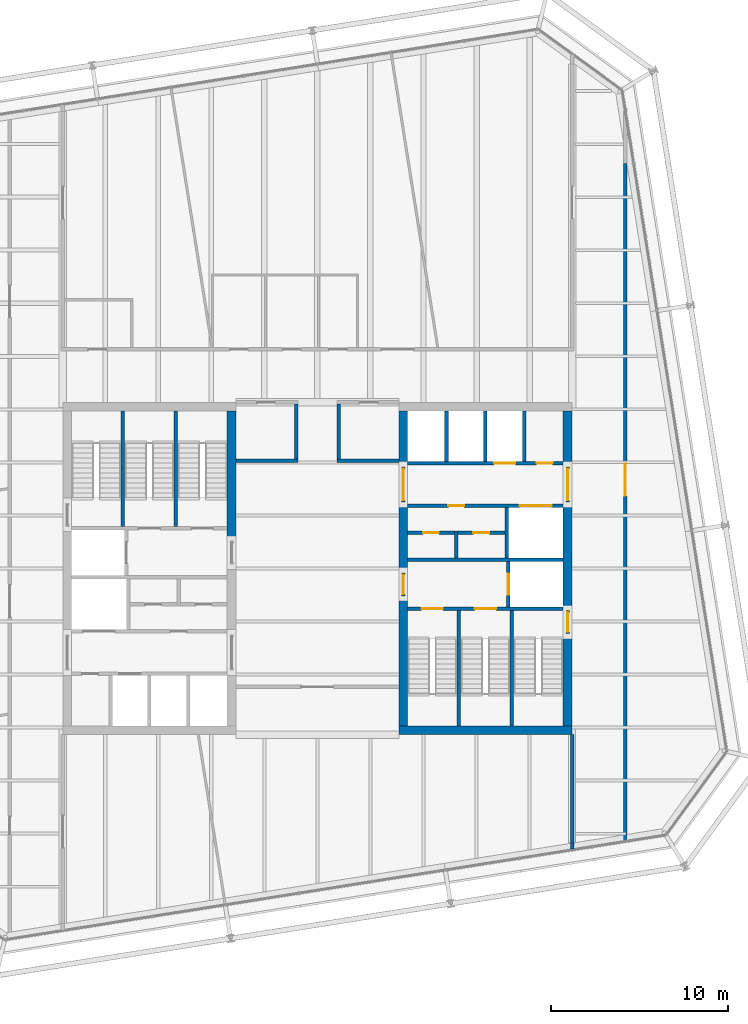
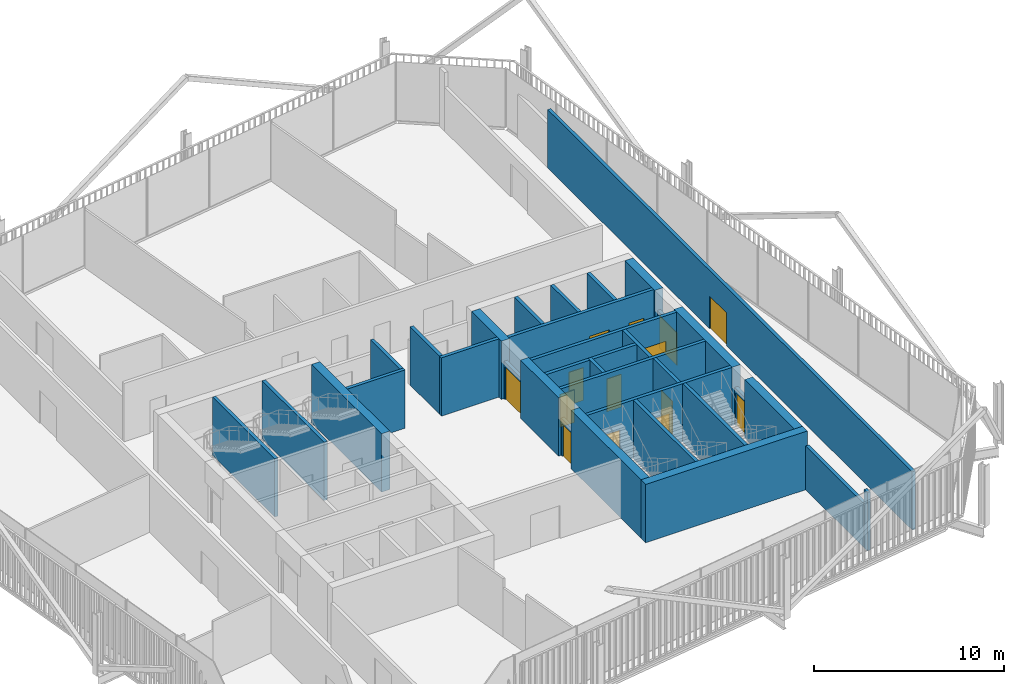
# One storey, part 18 of 21: 34 walls, 14 doors, 14 openings.
"""IFC4 building model written with IfcOpenShell, lengths in metres."""

from ifc_helpers import new_model, si_unit, direction, frame, frame_2d, origin, place, context, subcontext, project, spatial, rectangle, extrude, material, layer, layer_set, type_object, element, fill, save


model = new_model("IFC4")

# Units and contexts
model_context = context("Model", 3, precision=1e-05, world=origin(), true_north=direction((0.0, 1.0)))
body_context = subcontext(model_context, "Body", "Model", "MODEL_VIEW")
ifc_project = project(units=[si_unit("LENGTHUNIT", "METRE"), si_unit("AREAUNIT", "SQUARE_METRE"), si_unit("VOLUMEUNIT", "CUBIC_METRE"), si_unit("PLANEANGLEUNIT", "RADIAN"), si_unit("MASSUNIT", "GRAM", prefix="KILO")], contexts=[model_context])

# Site, building, storey
site_placement = place(None, origin())
site = spatial("IfcSite", under=ifc_project, at=site_placement, CompositionType="ELEMENT")
building_placement = place(site_placement, origin())
building = spatial("IfcBuilding", under=site, at=building_placement, Name="Millrace Tower", CompositionType="ELEMENT")
storey_placement = place(building_placement, frame((0.0, 0.0, 212.5)))
storey = spatial("IfcBuildingStorey", under=building, at=storey_placement, Name="L48", CompositionType="ELEMENT", Elevation=212.5)

# Walls
ifc_material_1 = material(Name="Concrete C60", Category="concrete")
ifc_layer_1 = layer(ifc_material_1, 0.5)
ifc_layer_set_1 = layer_set([ifc_layer_1], Name="Concrete C60")
wall_type_1 = type_object("IfcWallType", Name="Core wall 500 Concrete C60", PredefinedType="SHEAR", material=ifc_layer_set_1)
wall_1_placement = place(storey_placement, frame((-4.85009765625, 1.550048828125, 0.0), z_axis=(0.0, 0.0, 1.0), x_axis=(0.0, 1.0, 0.0)))
element("IfcWall", 1, at=wall_1_placement, inside=storey, type_object=wall_type_1, Name="Core wall W L48", PredefinedType="SHEAR", context=body_context, shape_type="SweptSolid", body=[
    extrude(rectangle(XDim=7.349853515625, YDim=0.5, at=frame_2d((3.6748046875, 0.0))), origin(), (0.0, 0.0, 1.0), 3.739990234375),
])
wall_2_placement = place(storey_placement, frame((14.39990234375, -9.14990234375, 0.0), z_axis=(0.0, 0.0, 1.0), x_axis=(-1.0, 0.0, 0.0)))
element("IfcWall", 2, at=wall_2_placement, inside=storey, type_object=wall_type_1, Name="Core wall E L48", PredefinedType="SHEAR", context=body_context, shape_type="SweptSolid", body=[
    extrude(rectangle(XDim=9.7998046875, YDim=0.5, at=frame_2d((4.89990234375, 0.0))), origin(), (0.0, 0.0, 1.0), 3.739990234375),
])
wall_3_placement = place(storey_placement, frame((14.14990234375, 8.89990234375, 0.0), z_axis=(0.0, 0.0, 1.0), x_axis=(0.0, -1.0, 0.0)))
element("IfcWall", 3, at=wall_3_placement, inside=storey, type_object=wall_type_1, Name="Core wall E L48", PredefinedType="SHEAR", context=body_context, shape_type="SweptSolid", body=[
    extrude(rectangle(XDim=3.14990234375, YDim=0.5, at=frame_2d((1.574951171875, 0.0))), origin(), (0.0, 0.0, 1.0), 3.739990234375),
])
wall_4_placement = place(storey_placement, frame((14.14990234375, 3.75, 0.0), z_axis=(0.0, 0.0, 1.0), x_axis=(0.0, -1.0, 0.0)))
element("IfcWall", 4, at=wall_4_placement, inside=storey, type_object=wall_type_1, Name="Core wall E L48", PredefinedType="SHEAR", context=body_context, shape_type="SweptSolid", body=[
    extrude(rectangle(XDim=6.1298828125, YDim=0.5, at=frame_2d((3.06494140625, 0.0))), origin(), (0.0, 0.0, 1.0), 3.739990234375),
])
wall_5_placement = place(storey_placement, frame((14.14990234375, -3.679931640625, 0.0), z_axis=(0.0, 0.0, 1.0), x_axis=(0.0, -1.0, 0.0)))
element("IfcWall", 5, at=wall_5_placement, inside=storey, type_object=wall_type_1, Name="Core wall E L48", PredefinedType="SHEAR", context=body_context, shape_type="SweptSolid", body=[
    extrude(rectangle(XDim=5.219970703125, YDim=0.5, at=frame_2d((2.60986328125, 0.0))), origin(), (0.0, 0.0, 1.0), 3.739990234375),
])
wall_6_placement = place(storey_placement, frame((4.85009765625, 8.89990234375, 0.0), z_axis=(0.0, 0.0, 1.0), x_axis=(0.0, -1.0, 0.0)))
element("IfcWall", 6, at=wall_6_placement, inside=storey, type_object=wall_type_1, Name="Core wall E L48", PredefinedType="SHEAR", context=body_context, shape_type="SweptSolid", body=[
    extrude(rectangle(XDim=3.14990234375, YDim=0.5, at=frame_2d((1.574951171875, 0.0))), origin(), (0.0, 0.0, 1.0), 3.739990234375),
])
wall_7_placement = place(storey_placement, frame((4.85009765625, 3.75, 0.0), z_axis=(0.0, 0.0, 1.0), x_axis=(0.0, -1.0, 0.0)))
element("IfcWall", 7, at=wall_7_placement, inside=storey, type_object=wall_type_1, Name="Core wall E L48", PredefinedType="SHEAR", context=body_context, shape_type="SweptSolid", body=[
    extrude(rectangle(XDim=4.0, YDim=0.5, at=frame_2d((2.0, 0.0))), origin(), (0.0, 0.0, 1.0), 3.739990234375),
])
wall_8_placement = place(storey_placement, frame((4.85009765625, -1.550048828125, 0.0), z_axis=(0.0, 0.0, 1.0), x_axis=(0.0, -1.0, 0.0)))
element("IfcWall", 8, at=wall_8_placement, inside=storey, type_object=wall_type_1, Name="Core wall E L48", PredefinedType="SHEAR", context=body_context, shape_type="SweptSolid", body=[
    extrude(rectangle(XDim=7.349853515625, YDim=0.5, at=frame_2d((3.6748046875, 0.0))), origin(), (0.0, 0.0, 1.0), 3.739990234375),
])
ifc_material_2 = material(Name="Masonry partition, fire-rated", Category="masonry")
ifc_layer_2 = layer(ifc_material_2, 0.199951171875)
ifc_layer_set_2 = layer_set([ifc_layer_2], Name="Masonry partition, fire-rated")
wall_type_2 = type_object("IfcWallType", Name="Corridor wall 200", PredefinedType="PARTITIONING", material=ifc_layer_set_2)
for number, where, z_axis, x_axis, name in (
    (9, (-4.60009765625, 6.10009765625, 0.0), (0.0, 0.0, 1.0), (1.0, 0.0, 0.0), "Corridor wall L48"),
    (10, (1.10009765625, 6.10009765625, 0.0), (0.0, 0.0, 1.0), (1.0, 0.0, 0.0), "Corridor wall L48"),
):
    element("IfcWall", number, at=place(storey_placement, frame(where, z_axis=z_axis, x_axis=x_axis)), inside=storey, type_object=wall_type_2, Name=name, PredefinedType="PARTITIONING", context=body_context, shape_type="SweptSolid", body=[
        extrude(rectangle(XDim=3.5, YDim=0.199951171875, at=frame_2d((1.75, 0.0))), origin(), (0.0, 0.0, 1.0), 3.739990234375),
    ])

# Wall, opening, door
wall_9_placement = place(storey_placement, frame((17.39990234375, -15.3994140625, 0.0), z_axis=(0.0, 0.0, 1.0), x_axis=(0.0, 1.0, 0.0)))
wall_9 = element("IfcWall", 11, at=wall_9_placement, inside=storey, type_object=wall_type_2, Name="Corridor wall L48", PredefinedType="PARTITIONING", context=body_context, shape_type="SweptSolid", body=[
    extrude(rectangle(XDim=38.3046875, YDim=0.199951171875, at=frame_2d((19.15234375, 0.0))), origin(), (0.0, 0.0, 1.0), 3.739990234375),
])
opening_1_placement = place(wall_9_placement, frame((19.511962890625, 0.0, 0.0)))
opening_1 = element("IfcOpeningElement", 12, at=opening_1_placement, cuts=wall_9, Name="Opening 48-P013", PredefinedType="OPENING", context=body_context, shape_type="SweptSolid", body=[
    extrude(rectangle(XDim=1.800048828125, YDim=2.10009765625, at=frame_2d((0.89990234375, 1.050048828125))), frame((0.0, 0.10986328125, 0.0), z_axis=(0.0, -1.0, 0.0), x_axis=(1.0, 0.0, 0.0)), (0.0, 0.0, 1.0), 0.219970703125),
])
ifc_material_3 = material(Name="Steel door set, fire-rated", Category="steel")
door_type_1 = type_object("IfcDoorType", Name="Corridor door 1800 x 2100", OperationType="DOUBLE_DOOR_SINGLE_SWING", PredefinedType="DOOR", material=ifc_material_3)
door_1_placement = place(opening_1_placement, frame((1.800048828125, 0.0, 0.0), z_axis=(0.0, 0.0, 1.0), x_axis=(-1.0, 0.0, 0.0)))
door_1 = element("IfcDoor", 13, at=door_1_placement, inside=storey, type_object=door_type_1, Name="Door 48-P013", OperationType="DOUBLE_DOOR_SINGLE_SWING", OverallHeight=2.10009765625, OverallWidth=1.800048828125, PredefinedType="DOOR", context=body_context, shape_type="SweptSolid", body=[
    extrude(rectangle(XDim=1.800048828125, YDim=2.10009765625, at=frame_2d((0.89990234375, 1.050048828125))), frame((0.0, 0.02490234375, 0.0), z_axis=(0.0, -1.0, 0.0), x_axis=(1.0, 0.0, 0.0)), (0.0, 0.0, 1.0), 0.050048828125),
])
fill(opening_1, door_1)

# Walls
wall_10_placement = place(storey_placement, frame((14.39990234375, -15.87451171875, 0.0), z_axis=(0.0, 0.0, 1.0), x_axis=(0.0, 1.0, 0.0)))
element("IfcWall", 14, at=wall_10_placement, inside=storey, type_object=wall_type_2, Name="Corridor wall L48", PredefinedType="PARTITIONING", context=body_context, shape_type="SweptSolid", body=[
    extrude(rectangle(XDim=0.349609375, YDim=0.199951171875, at=frame_2d((0.1748046875, 0.0))), origin(), (0.0, 0.0, 1.0), 3.739990234375),
])
wall_11_placement = place(storey_placement, frame((14.39990234375, -15.52490234375, 0.0), z_axis=(0.0, 0.0, 1.0), x_axis=(0.0, 1.0, 0.0)))
element("IfcWall", 15, at=wall_11_placement, inside=storey, type_object=wall_type_2, Name="Corridor wall L48", PredefinedType="PARTITIONING", context=body_context, shape_type="SweptSolid", body=[
    extrude(rectangle(XDim=6.125, YDim=0.199951171875, at=frame_2d((3.0625, 0.0))), origin(), (0.0, 0.0, 1.0), 2.81298828125),
])
for number, where, z_axis, x_axis, name in (
    (16, (1.199951171875, 6.199951171875, 0.0), (0.0, 0.0, 1.0), (0.0, 1.0, 0.0), "Corridor wall L48"),
    (17, (-1.199951171875, 6.199951171875, 0.0), (0.0, 0.0, 1.0), (0.0, 1.0, 0.0), "Corridor wall L48"),
):
    element("IfcWall", number, at=place(storey_placement, frame(where, z_axis=z_axis, x_axis=x_axis)), inside=storey, type_object=wall_type_2, Name=name, PredefinedType="PARTITIONING", context=body_context, shape_type="SweptSolid", body=[
        extrude(rectangle(XDim=3.10009765625, YDim=0.199951171875, at=frame_2d((1.550048828125, 0.0))), origin(), (0.0, 0.0, 1.0), 3.739990234375),
    ])

# Wall, openings, doors
ifc_material_4 = material(Name="Masonry partition, fire-rated", Category="masonry")
ifc_layer_3 = layer(ifc_material_4, 0.199951171875)
ifc_layer_set_3 = layer_set([ifc_layer_3], Name="Masonry partition, fire-rated")
wall_type_3 = type_object("IfcWallType", Name="Lift shaft wall 200", PredefinedType="PARTITIONING", material=ifc_layer_set_3)
wall_12_placement = place(storey_placement, frame((13.89990234375, 5.949951171875, 0.0), z_axis=(0.0, 0.0, 1.0), x_axis=(-1.0, 0.0, 0.0)))
wall_12 = element("IfcWall", 18, at=wall_12_placement, inside=storey, type_object=wall_type_3, Name="Lift shaft wall E L48", PredefinedType="PARTITIONING", context=body_context, shape_type="SweptSolid", body=[
    extrude(rectangle(XDim=8.7998046875, YDim=0.199951171875, at=frame_2d((4.39990234375, 0.0))), origin(), (0.0, 0.0, 1.0), 3.739990234375),
])
opening_2_placement = place(wall_12_placement, frame((2.699951171875, 0.0, 0.0)))
opening_2 = element("IfcOpeningElement", 19, at=opening_2_placement, cuts=wall_12, Name="Opening 48-LD10", PredefinedType="OPENING", context=body_context, shape_type="SweptSolid", body=[
    extrude(rectangle(XDim=1.199951171875, YDim=2.10009765625, at=frame_2d((0.60009765625, 1.050048828125))), frame((0.0, 0.10986328125, 0.0), z_axis=(0.0, -1.0, 0.0), x_axis=(1.0, 0.0, 0.0)), (0.0, 0.0, 1.0), 0.219970703125),
])
opening_3_placement = place(wall_12_placement, frame((0.60009765625, 0.0, 0.0)))
opening_3 = element("IfcOpeningElement", 20, at=opening_3_placement, cuts=wall_12, Name="Opening 48-C015", PredefinedType="OPENING", context=body_context, shape_type="SweptSolid", body=[
    extrude(rectangle(XDim=0.89990234375, YDim=2.10009765625, at=frame_2d((0.449951171875, 1.050048828125))), frame((0.0, 0.10986328125, 0.0), z_axis=(0.0, -1.0, 0.0), x_axis=(1.0, 0.0, 0.0)), (0.0, 0.0, 1.0), 0.219970703125),
])
ifc_material_5 = material(Name="Stainless steel, fire-rated", Category="steel")
door_type_2 = type_object("IfcDoorType", Name="Lift landing door 1200 x 2100", OperationType="DOUBLE_DOOR_SLIDING", PredefinedType="DOOR", material=ifc_material_5)
door_2_placement = place(opening_2_placement, origin())
door_2 = element("IfcDoor", 21, at=door_2_placement, inside=storey, type_object=door_type_2, Name="Lift landing door LF10 L48", OperationType="DOUBLE_DOOR_SLIDING", OverallHeight=2.10009765625, OverallWidth=1.199951171875, PredefinedType="DOOR", context=body_context, shape_type="SweptSolid", body=[
    extrude(rectangle(XDim=1.199951171875, YDim=2.10009765625, at=frame_2d((0.60009765625, 1.050048828125))), frame((0.0, 0.02490234375, 0.0), z_axis=(0.0, -1.0, 0.0), x_axis=(1.0, 0.0, 0.0)), (0.0, 0.0, 1.0), 0.050048828125),
])
fill(opening_2, door_2)
ifc_material_6 = material(Name="Steel door, fire-rated", Category="steel")
door_type_3 = type_object("IfcDoorType", Name="Service room door 900 x 2100", OperationType="SINGLE_SWING_LEFT", PredefinedType="DOOR", material=ifc_material_6)
door_3_placement = place(opening_3_placement, frame((0.89990234375, 0.0, 0.0), z_axis=(0.0, 0.0, 1.0), x_axis=(-1.0, 0.0, 0.0)))
door_3 = element("IfcDoor", 22, at=door_3_placement, inside=storey, type_object=door_type_3, Name="Service room door 48-C015", OperationType="SINGLE_SWING_RIGHT", OverallHeight=2.10009765625, OverallWidth=0.89990234375, PredefinedType="DOOR", context=body_context, shape_type="SweptSolid", body=[
    extrude(rectangle(XDim=0.89990234375, YDim=2.10009765625, at=frame_2d((0.449951171875, 1.050048828125))), frame((0.0, 0.02490234375, 0.0), z_axis=(0.0, -1.0, 0.0), x_axis=(1.0, 0.0, 0.0)), (0.0, 0.0, 1.0), 0.050048828125),
])
fill(opening_3, door_3)

wall_13_placement = place(storey_placement, frame((13.89990234375, 3.550048828125, 0.0), z_axis=(0.0, 0.0, 1.0), x_axis=(-1.0, 0.0, 0.0)))
wall_13 = element("IfcWall", 23, at=wall_13_placement, inside=storey, type_object=wall_type_3, Name="Lift shaft wall E L48", PredefinedType="PARTITIONING", context=body_context, shape_type="SweptSolid", body=[
    extrude(rectangle(XDim=8.7998046875, YDim=0.199951171875, at=frame_2d((4.39990234375, 0.0))), origin(), (0.0, 0.0, 1.0), 3.739990234375),
])
opening_4_placement = place(wall_13_placement, frame((0.64990234375, 0.0, 0.0)))
opening_4 = element("IfcOpeningElement", 24, at=opening_4_placement, cuts=wall_13, Name="Opening 48-LD13", PredefinedType="OPENING", context=body_context, shape_type="SweptSolid", body=[
    extrude(rectangle(XDim=1.800048828125, YDim=2.10009765625, at=frame_2d((0.89990234375, 1.050048828125))), frame((0.0, 0.10986328125, 0.0), z_axis=(0.0, -1.0, 0.0), x_axis=(1.0, 0.0, 0.0)), (0.0, 0.0, 1.0), 0.219970703125),
])
opening_5_placement = place(wall_13_placement, frame((5.60009765625, 0.0, 0.0)))
opening_5 = element("IfcOpeningElement", 25, at=opening_5_placement, cuts=wall_13, Name="Opening 48-C016", PredefinedType="OPENING", context=body_context, shape_type="SweptSolid", body=[
    extrude(rectangle(XDim=0.89990234375, YDim=2.10009765625, at=frame_2d((0.449951171875, 1.050048828125))), frame((0.0, 0.10986328125, 0.0), z_axis=(0.0, -1.0, 0.0), x_axis=(1.0, 0.0, 0.0)), (0.0, 0.0, 1.0), 0.219970703125),
])
ifc_material_7 = material(Name="Stainless steel, fire-rated", Category="steel")
door_type_4 = type_object("IfcDoorType", Name="Lift landing door 1800 x 2100", OperationType="DOUBLE_DOOR_SLIDING", PredefinedType="DOOR", material=ifc_material_7)
door_4_placement = place(opening_4_placement, origin())
door_4 = element("IfcDoor", 26, at=door_4_placement, inside=storey, type_object=door_type_4, Name="Lift landing door LF13 L48", OperationType="DOUBLE_DOOR_SLIDING", OverallHeight=2.10009765625, OverallWidth=1.800048828125, PredefinedType="DOOR", context=body_context, shape_type="SweptSolid", body=[
    extrude(rectangle(XDim=1.800048828125, YDim=2.10009765625, at=frame_2d((0.89990234375, 1.050048828125))), frame((0.0, 0.02490234375, 0.0), z_axis=(0.0, -1.0, 0.0), x_axis=(1.0, 0.0, 0.0)), (0.0, 0.0, 1.0), 0.050048828125),
])
fill(opening_4, door_4)
door_5_placement = place(opening_5_placement, frame((0.89990234375, 0.0, 0.0), z_axis=(0.0, 0.0, 1.0), x_axis=(-1.0, 0.0, 0.0)))
door_5 = element("IfcDoor", 27, at=door_5_placement, inside=storey, type_object=door_type_3, Name="Service room door 48-C016", OperationType="SINGLE_SWING_LEFT", OverallHeight=2.10009765625, OverallWidth=0.89990234375, PredefinedType="DOOR", context=body_context, shape_type="SweptSolid", body=[
    extrude(rectangle(XDim=0.89990234375, YDim=2.10009765625, at=frame_2d((0.449951171875, 1.050048828125))), frame((0.0, 0.02490234375, 0.0), z_axis=(0.0, -1.0, 0.0), x_axis=(1.0, 0.0, 0.0)), (0.0, 0.0, 1.0), 0.050048828125),
])
fill(opening_5, door_5)

# Wall
wall_14_placement = place(storey_placement, frame((13.89990234375, 0.5, 0.0), z_axis=(0.0, 0.0, 1.0), x_axis=(-1.0, 0.0, 0.0)))
element("IfcWall", 28, at=wall_14_placement, inside=storey, type_object=wall_type_3, Name="Lift shaft wall E L48", PredefinedType="PARTITIONING", context=body_context, shape_type="SweptSolid", body=[
    extrude(rectangle(XDim=8.7998046875, YDim=0.199951171875, at=frame_2d((4.39990234375, 0.0))), origin(), (0.0, 0.0, 1.0), 3.739990234375),
])

# Wall, opening, door
wall_15_placement = place(storey_placement, frame((10.800048828125, 0.39990234375, 0.0), z_axis=(0.0, 0.0, 1.0), x_axis=(0.0, -1.0, 0.0)))
wall_15 = element("IfcWall", 29, at=wall_15_placement, inside=storey, type_object=wall_type_3, Name="Lift shaft wall E L48", PredefinedType="PARTITIONING", context=body_context, shape_type="SweptSolid", body=[
    extrude(rectangle(XDim=2.579833984375, YDim=0.199951171875, at=frame_2d((1.2900390625, 0.0))), origin(), (0.0, 0.0, 1.0), 3.739990234375),
])
opening_6_placement = place(wall_15_placement, frame((0.68994140625, 0.0, 0.0)))
opening_6 = element("IfcOpeningElement", 30, at=opening_6_placement, cuts=wall_15, Name="Opening 48-LD16", PredefinedType="OPENING", context=body_context, shape_type="SweptSolid", body=[
    extrude(rectangle(XDim=1.199951171875, YDim=2.10009765625, at=frame_2d((0.60009765625, 1.050048828125))), frame((0.0, 0.10986328125, 0.0), z_axis=(0.0, -1.0, 0.0), x_axis=(1.0, 0.0, 0.0)), (0.0, 0.0, 1.0), 0.219970703125),
])
door_6_placement = place(opening_6_placement, origin())
door_6 = element("IfcDoor", 31, at=door_6_placement, inside=storey, type_object=door_type_2, Name="Lift landing door LF16 L48", OperationType="DOUBLE_DOOR_SLIDING", OverallHeight=2.10009765625, OverallWidth=1.199951171875, PredefinedType="DOOR", context=body_context, shape_type="SweptSolid", body=[
    extrude(rectangle(XDim=1.199951171875, YDim=2.10009765625, at=frame_2d((0.60009765625, 1.050048828125))), frame((0.0, 0.02490234375, 0.0), z_axis=(0.0, -1.0, 0.0), x_axis=(1.0, 0.0, 0.0)), (0.0, 0.0, 1.0), 0.050048828125),
])
fill(opening_6, door_6)

# Walls
for number, where, z_axis, x_axis, name in (
    (32, (11.699951171875, 8.89990234375, 0.0), (0.0, 0.0, 1.0), (0.0, -1.0, 0.0), "Lift shaft wall E L48"),
    (33, (9.5, 8.89990234375, 0.0), (0.0, 0.0, 1.0), (0.0, -1.0, 0.0), "Lift shaft wall E L48"),
    (34, (7.300048828125, 8.89990234375, 0.0), (0.0, 0.0, 1.0), (0.0, -1.0, 0.0), "Lift shaft wall E L48"),
    (35, (10.699951171875, 3.449951171875, 0.0), (0.0, 0.0, 1.0), (0.0, -1.0, 0.0), "Lift shaft wall E L48"),
):
    element("IfcWall", number, at=place(storey_placement, frame(where, z_axis=z_axis, x_axis=x_axis)), inside=storey, type_object=wall_type_3, Name=name, PredefinedType="PARTITIONING", context=body_context, shape_type="SweptSolid", body=[
        extrude(rectangle(XDim=2.849853515625, YDim=0.199951171875, at=frame_2d((1.4248046875, 0.0))), origin(), (0.0, 0.0, 1.0), 3.739990234375),
    ])

# Wall, opening, door
ifc_material_8 = material(Name="Masonry partition, fire-rated", Category="masonry")
ifc_layer_4 = layer(ifc_material_8, 0.199951171875)
ifc_layer_set_4 = layer_set([ifc_layer_4], Name="Masonry partition, fire-rated")
wall_type_4 = type_object("IfcWallType", Name="Lobby wall 200", PredefinedType="PARTITIONING", material=ifc_layer_set_4)
wall_16_placement = place(storey_placement, frame((14.14990234375, 5.75, 0.0), z_axis=(0.0, 0.0, 1.0), x_axis=(0.0, -1.0, 0.0)))
wall_16 = element("IfcWall", 36, at=wall_16_placement, inside=storey, type_object=wall_type_4, Name="Lobby wall E L48", PredefinedType="PARTITIONING", context=body_context, shape_type="SweptSolid", body=[
    extrude(rectangle(XDim=2.0, YDim=0.199951171875, at=frame_2d((1.0, 0.0))), origin(), (0.0, 0.0, 1.0), 2.39990234375),
])
opening_7_placement = place(wall_16_placement, frame((0.10009765625, 0.0, 0.0)))
opening_7 = element("IfcOpeningElement", 37, at=opening_7_placement, cuts=wall_16, Name="Opening 48-C011", PredefinedType="OPENING", context=body_context, shape_type="SweptSolid", body=[
    extrude(rectangle(XDim=1.800048828125, YDim=2.10009765625, at=frame_2d((0.89990234375, 1.050048828125))), frame((0.0, 0.10986328125, 0.0), z_axis=(0.0, -1.0, 0.0), x_axis=(1.0, 0.0, 0.0)), (0.0, 0.0, 1.0), 0.219970703125),
])
ifc_material_9 = material(Name="Steel door, fire-rated", Category="steel")
door_type_5 = type_object("IfcDoorType", Name="Lobby door 1800 x 2100", OperationType="DOUBLE_DOOR_SINGLE_SWING", PredefinedType="DOOR", material=ifc_material_9)
door_7_placement = place(opening_7_placement, origin())
door_7 = element("IfcDoor", 38, at=door_7_placement, inside=storey, type_object=door_type_5, Name="Lobby door 48-C011", OperationType="DOUBLE_DOOR_SINGLE_SWING", OverallHeight=2.10009765625, OverallWidth=1.800048828125, PredefinedType="DOOR", context=body_context, shape_type="SweptSolid", body=[
    extrude(rectangle(XDim=1.800048828125, YDim=2.10009765625, at=frame_2d((0.89990234375, 1.050048828125))), frame((0.0, 0.02490234375, 0.0), z_axis=(0.0, -1.0, 0.0), x_axis=(1.0, 0.0, 0.0)), (0.0, 0.0, 1.0), 0.050048828125),
])
fill(opening_7, door_7)

wall_17_placement = place(storey_placement, frame((4.85009765625, 5.75, 0.0), z_axis=(0.0, 0.0, 1.0), x_axis=(0.0, -1.0, 0.0)))
wall_17 = element("IfcWall", 39, at=wall_17_placement, inside=storey, type_object=wall_type_4, Name="Lobby wall E L48", PredefinedType="PARTITIONING", context=body_context, shape_type="SweptSolid", body=[
    extrude(rectangle(XDim=2.0, YDim=0.199951171875, at=frame_2d((1.0, 0.0))), origin(), (0.0, 0.0, 1.0), 2.39990234375),
])
opening_8_placement = place(wall_17_placement, frame((0.10009765625, 0.0, 0.0)))
opening_8 = element("IfcOpeningElement", 40, at=opening_8_placement, cuts=wall_17, Name="Opening 48-C013", PredefinedType="OPENING", context=body_context, shape_type="SweptSolid", body=[
    extrude(rectangle(XDim=1.800048828125, YDim=2.10009765625, at=frame_2d((0.89990234375, 1.050048828125))), frame((0.0, 0.10986328125, 0.0), z_axis=(0.0, -1.0, 0.0), x_axis=(1.0, 0.0, 0.0)), (0.0, 0.0, 1.0), 0.219970703125),
])
door_8_placement = place(opening_8_placement, frame((1.800048828125, 0.0, 0.0), z_axis=(0.0, 0.0, 1.0), x_axis=(-1.0, 0.0, 0.0)))
door_8 = element("IfcDoor", 41, at=door_8_placement, inside=storey, type_object=door_type_5, Name="Lobby door 48-C013", OperationType="DOUBLE_DOOR_SINGLE_SWING", OverallHeight=2.10009765625, OverallWidth=1.800048828125, PredefinedType="DOOR", context=body_context, shape_type="SweptSolid", body=[
    extrude(rectangle(XDim=1.800048828125, YDim=2.10009765625, at=frame_2d((0.89990234375, 1.050048828125))), frame((0.0, 0.02490234375, 0.0), z_axis=(0.0, -1.0, 0.0), x_axis=(1.0, 0.0, 0.0)), (0.0, 0.0, 1.0), 0.050048828125),
])
fill(opening_8, door_8)

wall_18_placement = place(storey_placement, frame((4.85009765625, -0.25, 0.0), z_axis=(0.0, 0.0, 1.0), x_axis=(0.0, -1.0, 0.0)))
wall_18 = element("IfcWall", 42, at=wall_18_placement, inside=storey, type_object=wall_type_4, Name="Lobby wall E L48", PredefinedType="PARTITIONING", context=body_context, shape_type="SweptSolid", body=[
    extrude(rectangle(XDim=1.300048828125, YDim=0.199951171875, at=frame_2d((0.64990234375, 0.0))), origin(), (0.0, 0.0, 1.0), 2.39990234375),
])
opening_9_placement = place(wall_18_placement, frame((0.10009765625, 0.0, 0.0)))
opening_9 = element("IfcOpeningElement", 43, at=opening_9_placement, cuts=wall_18, Name="Opening 48-C014", PredefinedType="OPENING", context=body_context, shape_type="SweptSolid", body=[
    extrude(rectangle(XDim=1.10009765625, YDim=2.10009765625, at=frame_2d((0.550048828125, 1.050048828125))), frame((0.0, 0.10986328125, 0.0), z_axis=(0.0, -1.0, 0.0), x_axis=(1.0, 0.0, 0.0)), (0.0, 0.0, 1.0), 0.219970703125),
])
ifc_material_10 = material(Name="Steel door, fire-rated", Category="steel")
door_type_6 = type_object("IfcDoorType", Name="Lobby door 1100 x 2100", OperationType="SINGLE_SWING_LEFT", PredefinedType="DOOR", material=ifc_material_10)
door_9_placement = place(opening_9_placement, frame((1.10009765625, 0.0, 0.0), z_axis=(0.0, 0.0, 1.0), x_axis=(-1.0, 0.0, 0.0)))
door_9 = element("IfcDoor", 44, at=door_9_placement, inside=storey, type_object=door_type_6, Name="Lobby door 48-C014", OperationType="SINGLE_SWING_RIGHT", OverallHeight=2.10009765625, OverallWidth=1.10009765625, PredefinedType="DOOR", context=body_context, shape_type="SweptSolid", body=[
    extrude(rectangle(XDim=1.10009765625, YDim=2.10009765625, at=frame_2d((0.550048828125, 1.050048828125))), frame((0.0, 0.02490234375, 0.0), z_axis=(0.0, -1.0, 0.0), x_axis=(1.0, 0.0, 0.0)), (0.0, 0.0, 1.0), 0.050048828125),
])
fill(opening_9, door_9)

# Wall, openings, doors
ifc_material_11 = material(Name="Masonry partition, fire-rated", Category="masonry")
ifc_layer_5 = layer(ifc_material_11, 0.199951171875)
ifc_layer_set_5 = layer_set([ifc_layer_5], Name="Masonry partition, fire-rated")
wall_type_5 = type_object("IfcWallType", Name="Room partition 200", PredefinedType="PARTITIONING", material=ifc_layer_set_5)
wall_19_placement = place(storey_placement, frame((10.60009765625, 2.02490234375, 0.0), z_axis=(0.0, 0.0, 1.0), x_axis=(-1.0, 0.0, 0.0)))
wall_19 = element("IfcWall", 45, at=wall_19_placement, inside=storey, type_object=wall_type_5, Name="Room partition E L48", PredefinedType="PARTITIONING", context=body_context, shape_type="SweptSolid", body=[
    extrude(rectangle(XDim=5.5, YDim=0.199951171875, at=frame_2d((2.75, 0.0))), origin(), (0.0, 0.0, 1.0), 3.739990234375),
])
opening_10_placement = place(wall_19_placement, frame((0.875, 0.0, 0.0)))
opening_10 = element("IfcOpeningElement", 46, at=opening_10_placement, cuts=wall_19, Name="Opening 48-C017", PredefinedType="OPENING", context=body_context, shape_type="SweptSolid", body=[
    extrude(rectangle(XDim=0.89990234375, YDim=2.10009765625, at=frame_2d((0.449951171875, 1.050048828125))), frame((0.0, 0.10986328125, 0.0), z_axis=(0.0, -1.0, 0.0), x_axis=(1.0, 0.0, 0.0)), (0.0, 0.0, 1.0), 0.219970703125),
])
opening_11_placement = place(wall_19_placement, frame((3.72509765625, 0.0, 0.0)))
opening_11 = element("IfcOpeningElement", 47, at=opening_11_placement, cuts=wall_19, Name="Opening 48-C018", PredefinedType="OPENING", context=body_context, shape_type="SweptSolid", body=[
    extrude(rectangle(XDim=0.89990234375, YDim=2.10009765625, at=frame_2d((0.449951171875, 1.050048828125))), frame((0.0, 0.10986328125, 0.0), z_axis=(0.0, -1.0, 0.0), x_axis=(1.0, 0.0, 0.0)), (0.0, 0.0, 1.0), 0.219970703125),
])
door_10_placement = place(opening_10_placement, origin())
door_10 = element("IfcDoor", 48, at=door_10_placement, inside=storey, type_object=door_type_3, Name="Service room door 48-C017", OperationType="SINGLE_SWING_LEFT", OverallHeight=2.10009765625, OverallWidth=0.89990234375, PredefinedType="DOOR", context=body_context, shape_type="SweptSolid", body=[
    extrude(rectangle(XDim=0.89990234375, YDim=2.10009765625, at=frame_2d((0.449951171875, 1.050048828125))), frame((0.0, 0.02490234375, 0.0), z_axis=(0.0, -1.0, 0.0), x_axis=(1.0, 0.0, 0.0)), (0.0, 0.0, 1.0), 0.050048828125),
])
fill(opening_10, door_10)
door_11_placement = place(opening_11_placement, origin())
door_11 = element("IfcDoor", 49, at=door_11_placement, inside=storey, type_object=door_type_3, Name="Service room door 48-C018", OperationType="SINGLE_SWING_RIGHT", OverallHeight=2.10009765625, OverallWidth=0.89990234375, PredefinedType="DOOR", context=body_context, shape_type="SweptSolid", body=[
    extrude(rectangle(XDim=0.89990234375, YDim=2.10009765625, at=frame_2d((0.449951171875, 1.050048828125))), frame((0.0, 0.02490234375, 0.0), z_axis=(0.0, -1.0, 0.0), x_axis=(1.0, 0.0, 0.0)), (0.0, 0.0, 1.0), 0.050048828125),
])
fill(opening_11, door_11)

# Walls
wall_20_placement = place(storey_placement, frame((7.85009765625, 2.125, 0.0), z_axis=(0.0, 0.0, 1.0), x_axis=(0.0, -1.0, 0.0)))
element("IfcWall", 50, at=wall_20_placement, inside=storey, type_object=wall_type_5, Name="Room partition E L48", PredefinedType="PARTITIONING", context=body_context, shape_type="SweptSolid", body=[
    extrude(rectangle(XDim=1.52490234375, YDim=0.199951171875, at=frame_2d((0.762451171875, 0.0))), origin(), (0.0, 0.0, 1.0), 3.739990234375),
])
ifc_material_12 = material(Name="Concrete C40", Category="concrete")
ifc_layer_6 = layer(ifc_material_12, 0.199951171875)
ifc_layer_set_6 = layer_set([ifc_layer_6], Name="Concrete C40")
wall_type_6 = type_object("IfcWallType", Name="Stair enclosure wall 200 Concrete C40", PredefinedType="SHEAR", material=ifc_layer_set_6)
for number, where, z_axis, x_axis, name in (
    (51, (-11.0, 2.3798828125, 0.0), (0.0, 0.0, 1.0), (0.0, 1.0, 0.0), "Stair enclosure wall W L48"),
    (52, (-8.0, 2.3798828125, 0.0), (0.0, 0.0, 1.0), (0.0, 1.0, 0.0), "Stair enclosure wall W L48"),
):
    element("IfcWall", number, at=place(storey_placement, frame(where, z_axis=z_axis, x_axis=x_axis)), inside=storey, type_object=wall_type_6, Name=name, PredefinedType="SHEAR", context=body_context, shape_type="SweptSolid", body=[
        extrude(rectangle(XDim=6.52001953125, YDim=0.199951171875, at=frame_2d((3.260009765625, 0.0))), origin(), (0.0, 0.0, 1.0), 3.739990234375),
    ])

# Wall, opening, door
wall_21_placement = place(storey_placement, frame((14.14990234375, -2.3798828125, 0.0), z_axis=(0.0, 0.0, 1.0), x_axis=(0.0, -1.0, 0.0)))
wall_21 = element("IfcWall", 53, at=wall_21_placement, inside=storey, type_object=wall_type_6, Name="Stair enclosure wall E L48", PredefinedType="SHEAR", context=body_context, shape_type="SweptSolid", body=[
    extrude(rectangle(XDim=1.300048828125, YDim=0.199951171875, at=frame_2d((0.64990234375, 0.0))), origin(), (0.0, 0.0, 1.0), 2.39990234375),
])
opening_12_placement = place(wall_21_placement, frame((0.10009765625, 0.0, 0.0)))
opening_12 = element("IfcOpeningElement", 54, at=opening_12_placement, cuts=wall_21, Name="Opening 48-C012", PredefinedType="OPENING", context=body_context, shape_type="SweptSolid", body=[
    extrude(rectangle(XDim=1.10009765625, YDim=2.10009765625, at=frame_2d((0.550048828125, 1.050048828125))), frame((0.0, 0.10986328125, 0.0), z_axis=(0.0, -1.0, 0.0), x_axis=(1.0, 0.0, 0.0)), (0.0, 0.0, 1.0), 0.219970703125),
])
ifc_material_13 = material(Name="Steel door, fire-rated", Category="steel")
door_type_7 = type_object("IfcDoorType", Name="Stair door 1100 x 2100", OperationType="SINGLE_SWING_LEFT", PredefinedType="DOOR", material=ifc_material_13)
door_12_placement = place(opening_12_placement, origin())
door_12 = element("IfcDoor", 55, at=door_12_placement, inside=storey, type_object=door_type_7, Name="Stair door 48-C012", OperationType="SINGLE_SWING_RIGHT", OverallHeight=2.10009765625, OverallWidth=1.10009765625, PredefinedType="DOOR", context=body_context, shape_type="SweptSolid", body=[
    extrude(rectangle(XDim=1.10009765625, YDim=2.10009765625, at=frame_2d((0.550048828125, 1.050048828125))), frame((0.0, 0.02490234375, 0.0), z_axis=(0.0, -1.0, 0.0), x_axis=(1.0, 0.0, 0.0)), (0.0, 0.0, 1.0), 0.050048828125),
])
fill(opening_12, door_12)

# Wall, openings, doors
wall_22_placement = place(storey_placement, frame((13.89990234375, -2.280029296875, 0.0), z_axis=(0.0, 0.0, 1.0), x_axis=(-1.0, 0.0, 0.0)))
wall_22 = element("IfcWall", 56, at=wall_22_placement, inside=storey, type_object=wall_type_6, Name="Stair enclosure wall E L48", PredefinedType="SHEAR", context=body_context, shape_type="SweptSolid", body=[
    extrude(rectangle(XDim=8.7998046875, YDim=0.199951171875, at=frame_2d((4.39990234375, 0.0))), origin(), (0.0, 0.0, 1.0), 3.739990234375),
])
opening_13_placement = place(wall_22_placement, frame((3.800048828125, 0.0, 0.0)))
opening_13 = element("IfcOpeningElement", 57, at=opening_13_placement, cuts=wall_22, Name="Opening 48-C019", PredefinedType="OPENING", context=body_context, shape_type="SweptSolid", body=[
    extrude(rectangle(XDim=1.199951171875, YDim=2.10009765625, at=frame_2d((0.60009765625, 1.050048828125))), frame((0.0, 0.10986328125, 0.0), z_axis=(0.0, -1.0, 0.0), x_axis=(1.0, 0.0, 0.0)), (0.0, 0.0, 1.0), 0.219970703125),
])
opening_14_placement = place(wall_22_placement, frame((6.800048828125, 0.0, 0.0)))
opening_14 = element("IfcOpeningElement", 58, at=opening_14_placement, cuts=wall_22, Name="Opening 48-C020", PredefinedType="OPENING", context=body_context, shape_type="SweptSolid", body=[
    extrude(rectangle(XDim=1.199951171875, YDim=2.10009765625, at=frame_2d((0.60009765625, 1.050048828125))), frame((0.0, 0.10986328125, 0.0), z_axis=(0.0, -1.0, 0.0), x_axis=(1.0, 0.0, 0.0)), (0.0, 0.0, 1.0), 0.219970703125),
])
ifc_material_14 = material(Name="Steel door, fire-rated", Category="steel")
door_type_8 = type_object("IfcDoorType", Name="Stair door 1200 x 2100", OperationType="SINGLE_SWING_LEFT", PredefinedType="DOOR", material=ifc_material_14)
door_13_placement = place(opening_13_placement, frame((1.199951171875, 0.0, 0.0), z_axis=(0.0, 0.0, 1.0), x_axis=(-1.0, 0.0, 0.0)))
door_13 = element("IfcDoor", 59, at=door_13_placement, inside=storey, type_object=door_type_8, Name="Stair door 48-C019", OperationType="SINGLE_SWING_LEFT", OverallHeight=2.10009765625, OverallWidth=1.199951171875, PredefinedType="DOOR", context=body_context, shape_type="SweptSolid", body=[
    extrude(rectangle(XDim=1.199951171875, YDim=2.10009765625, at=frame_2d((0.60009765625, 1.050048828125))), frame((0.0, 0.02490234375, 0.0), z_axis=(0.0, -1.0, 0.0), x_axis=(1.0, 0.0, 0.0)), (0.0, 0.0, 1.0), 0.050048828125),
])
fill(opening_13, door_13)
door_14_placement = place(opening_14_placement, frame((1.199951171875, 0.0, 0.0), z_axis=(0.0, 0.0, 1.0), x_axis=(-1.0, 0.0, 0.0)))
door_14 = element("IfcDoor", 60, at=door_14_placement, inside=storey, type_object=door_type_8, Name="Stair door 48-C020", OperationType="SINGLE_SWING_LEFT", OverallHeight=2.10009765625, OverallWidth=1.199951171875, PredefinedType="DOOR", context=body_context, shape_type="SweptSolid", body=[
    extrude(rectangle(XDim=1.199951171875, YDim=2.10009765625, at=frame_2d((0.60009765625, 1.050048828125))), frame((0.0, 0.02490234375, 0.0), z_axis=(0.0, -1.0, 0.0), x_axis=(1.0, 0.0, 0.0)), (0.0, 0.0, 1.0), 0.050048828125),
])
fill(opening_14, door_14)

# Walls
for number, where, z_axis, x_axis, name in (
    (61, (11.0, -2.3798828125, 0.0), (0.0, 0.0, 1.0), (0.0, -1.0, 0.0), "Stair enclosure wall E L48"),
    (62, (8.0, -2.3798828125, 0.0), (0.0, 0.0, 1.0), (0.0, -1.0, 0.0), "Stair enclosure wall E L48"),
):
    element("IfcWall", number, at=place(storey_placement, frame(where, z_axis=z_axis, x_axis=x_axis)), inside=storey, type_object=wall_type_6, Name=name, PredefinedType="SHEAR", context=body_context, shape_type="SweptSolid", body=[
        extrude(rectangle(XDim=6.52001953125, YDim=0.199951171875, at=frame_2d((3.260009765625, 0.0))), origin(), (0.0, 0.0, 1.0), 3.739990234375),
    ])

save(model, "model.ifc")
